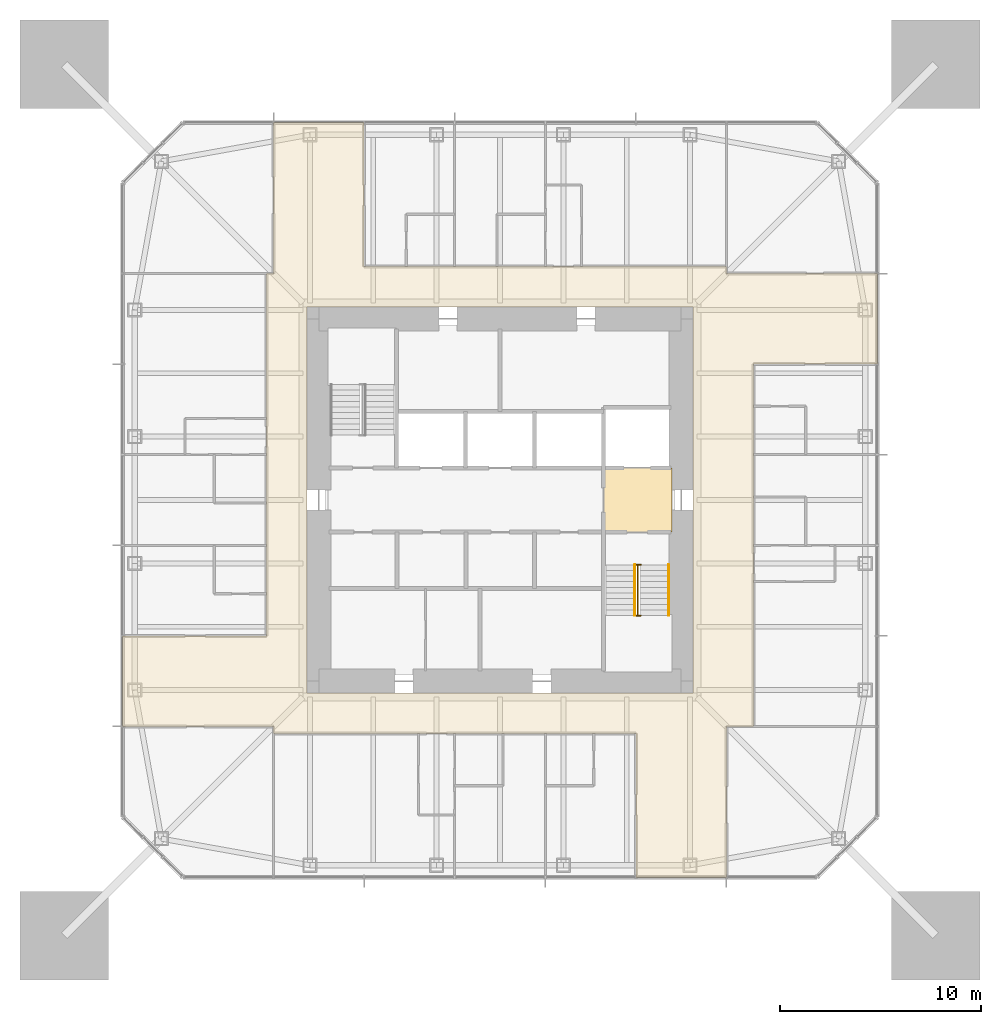
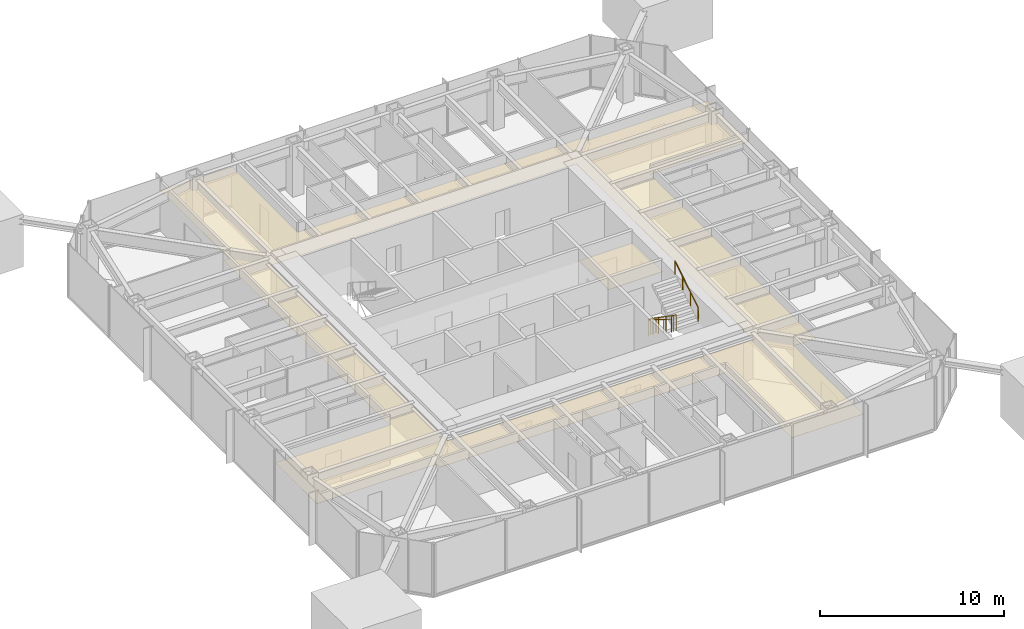
# One storey, part 10 of 11: 3 railings, 2 coverings.
"""IFC4 building model written with IfcOpenShell, lengths in metres."""

from ifc_helpers import new_model, si_unit, direction, frame, origin, origin_2d, place, context, subcontext, project, spatial, polyline, circle, outline, extrude, material, layer, layer_set, constituent, constituent_set, type_object, element, save


model = new_model("IFC4")

# Units and contexts
model_context = context("Model", 3, precision=1e-05, world=origin(), true_north=direction((0.0, 1.0)))
body_context = subcontext(model_context, "Body", "Model", "MODEL_VIEW")
ifc_project = project(units=[si_unit("LENGTHUNIT", "METRE"), si_unit("AREAUNIT", "SQUARE_METRE"), si_unit("VOLUMEUNIT", "CUBIC_METRE"), si_unit("PLANEANGLEUNIT", "RADIAN"), si_unit("MASSUNIT", "GRAM", prefix="KILO")], contexts=[model_context])

# Site, building, storey
site_placement = place(None, origin())
site = spatial("IfcSite", under=ifc_project, at=site_placement, CompositionType="ELEMENT")
building_placement = place(site_placement, origin())
building = spatial("IfcBuilding", under=site, at=building_placement, Name="Iwan Alto Co-Living Towers", CompositionType="ELEMENT")
storey_placement = place(building_placement, frame((0.0, 0.0, 170.5)))
storey = spatial("IfcBuildingStorey", under=building, at=storey_placement, Name="L46", CompositionType="ELEMENT", Elevation=170.5)

# Covering
ifc_material_1 = material(Name="Mineral fibre acoustic tiles on steel grid", Category="steel")
ifc_layer_1 = layer(ifc_material_1, 0.02001953125)
ifc_layer_set_1 = layer_set([ifc_layer_1], Name="ACOUSTIC TILE CEILING 20")
covering_type_1 = type_object("IfcCoveringType", Name="ACOUSTIC TILE CEILING 20", PredefinedType="CEILING", material=ifc_layer_set_1)
covering_1_placement = place(storey_placement, frame((0.0, 0.0, 2.60009765625)))
element("IfcCovering", 1, at=covering_1_placement, inside=storey, type_object=covering_type_1, Name="Ceiling Firefighting lobby L46", PredefinedType="CEILING", context=body_context, shape_type="SweptSolid", body=[
    extrude(outline(polyline([(5.14990234375, -1.60009765625), (5.14990234375, 1.60009765625), (8.550048828125, 1.60009765625), (8.550048828125, -1.60009765625), (5.14990234375, -1.60009765625)])), origin(), (0.0, 0.0, 1.0), 0.02001953125),
])

# Railings
ifc_material_2 = material(Name="Steel ASTM A500 Gr C", Category="steel")
ifc_constituent_1 = constituent(ifc_material_2, Name="Rails and posts", Category="Framing")
ifc_material_3 = material(Name="Steel ASTM A36", Category="steel")
ifc_constituent_2 = constituent(ifc_material_3, Name="Bar infill", Category="Infill")
ifc_constituent_set = constituent_set(constituents=[ifc_constituent_1, ifc_constituent_2], Name="STAIR GUARD 1100")
railing_type_1 = type_object("IfcRailingType", Name="STAIR GUARD 1100", PredefinedType="GUARDRAIL", material=ifc_constituent_set)
railing_1_placement = place(storey_placement, frame((6.85009765625, -3.219970703125, 0.0)))
element("IfcRailing", 2, at=railing_1_placement, inside=storey, type_object=railing_type_1, Name="Stair T1-S2 well guard L46", PredefinedType="GUARDRAIL", context=body_context, shape_type="SweptSolid", body=[
    extrude(circle(Radius=0.02392578125, at=origin_2d()), frame((0.0, 0.0, 1.076171875), z_axis=(0.0, -0.821372036852, 0.570392826987), x_axis=(1.0, 0.0, 0.0)), (0.0, 0.0, 1.0), 3.068115234375),
    extrude(circle(Radius=0.02392578125, at=origin_2d()), frame((-0.150146484375, 0.0, 1.076171875), z_axis=(1.0, 0.0, 0.0), x_axis=(0.0, 1.0, 0.0)), (0.0, 0.0, 1.0), 0.300048828125),
    extrude(circle(Radius=0.02392578125, at=origin_2d()), frame((-0.150146484375, -2.52001953125, 2.826171875), z_axis=(1.0, 0.0, 0.0), x_axis=(0.0, 1.0, 0.0)), (0.0, 0.0, 1.0), 0.300048828125),
    extrude(circle(Radius=0.02099609375, at=origin_2d()), origin(), (0.0, 0.0, 1.0), 1.052001953125),
    extrude(circle(Radius=0.02099609375, at=origin_2d()), frame((0.0, -0.840087890625, 0.583251953125)), (0.0, 0.0, 1.0), 1.052001953125),
    extrude(circle(Radius=0.02099609375, at=origin_2d()), frame((0.0, -1.679931640625, 1.166748046875)), (0.0, 0.0, 1.0), 1.052001953125),
    extrude(circle(Radius=0.02099609375, at=origin_2d()), frame((0.0, -2.52001953125, 1.75)), (0.0, 0.0, 1.0), 1.052001953125),
    extrude(circle(Radius=0.02099609375, at=origin_2d()), frame((-0.150146484375, 0.0, 0.0)), (0.0, 0.0, 1.0), 1.052001953125),
    extrude(circle(Radius=0.02099609375, at=origin_2d()), frame((0.14990234375, 0.0, 0.0)), (0.0, 0.0, 1.0), 1.052001953125),
    extrude(circle(Radius=0.02099609375, at=origin_2d()), frame((-0.150146484375, -2.52001953125, 1.75)), (0.0, 0.0, 1.0), 1.052001953125),
    extrude(circle(Radius=0.02099609375, at=origin_2d()), frame((0.14990234375, -2.52001953125, 1.75)), (0.0, 0.0, 1.0), 1.052001953125),
])
ifc_material_4 = material(Name="Steel ASTM A500 Gr C", Category="steel")
railing_type_2 = type_object("IfcRailingType", Name="STAIR HANDRAIL 900", PredefinedType="HANDRAIL", material=ifc_material_4)
railing_2_placement = place(storey_placement, frame((6.699951171875, -3.219970703125, 0.175048828125)))
element("IfcRailing", 3, at=railing_2_placement, inside=storey, type_object=railing_type_2, Name="Stair T1-S2 handrail 1 L46", PredefinedType="HANDRAIL", context=body_context, shape_type="SweptSolid", body=[
    extrude(circle(Radius=0.02392578125, at=origin_2d()), frame((0.0, 0.0, 0.8759765625), z_axis=(0.0, -0.848007534815, 0.529984170421), x_axis=(1.0, 0.0, 0.0)), (0.0, 0.0, 1.0), 2.9716796875),
    extrude(circle(Radius=0.02099609375, at=origin_2d()), origin(), (0.0, 0.0, 1.0), 0.851806640625),
    extrude(circle(Radius=0.02099609375, at=origin_2d()), frame((0.0, -0.840087890625, 0.52490234375)), (0.0, 0.0, 1.0), 0.851806640625),
    extrude(circle(Radius=0.02099609375, at=origin_2d()), frame((0.0, -1.679931640625, 1.050048828125)), (0.0, 0.0, 1.0), 0.851806640625),
    extrude(circle(Radius=0.02099609375, at=origin_2d()), frame((0.0, -2.52001953125, 1.574951171875)), (0.0, 0.0, 1.0), 0.851806640625),
])
railing_3_placement = place(storey_placement, frame((8.3798828125, -5.739990234375, 1.925048828125)))
element("IfcRailing", 4, at=railing_3_placement, inside=storey, type_object=railing_type_2, Name="Stair T1-S2 handrail 2 L46", PredefinedType="HANDRAIL", context=body_context, shape_type="SweptSolid", body=[
    extrude(circle(Radius=0.02392578125, at=origin_2d()), frame((0.0, 0.0, 0.8759765625), z_axis=(0.0, 0.848007534815, 0.529984170421), x_axis=(-1.0, 0.0, 0.0)), (0.0, 0.0, 1.0), 2.9716796875),
    extrude(circle(Radius=0.02099609375, at=origin_2d()), origin(), (0.0, 0.0, 1.0), 0.851806640625),
    extrude(circle(Radius=0.02099609375, at=origin_2d()), frame((0.0, 0.840087890625, 0.52490234375)), (0.0, 0.0, 1.0), 0.851806640625),
    extrude(circle(Radius=0.02099609375, at=origin_2d()), frame((0.0, 1.679931640625, 1.050048828125)), (0.0, 0.0, 1.0), 0.851806640625),
    extrude(circle(Radius=0.02099609375, at=origin_2d()), frame((0.0, 2.52001953125, 1.574951171875)), (0.0, 0.0, 1.0), 0.851806640625),
])

# Covering
ifc_material_5 = material(Name="Gypsum plasterboard on steel grid", Category="steel")
ifc_layer_2 = layer(ifc_material_5, 0.014892578125)
ifc_layer_set_2 = layer_set([ifc_layer_2], Name="SUSPENDED PLASTERBOARD CEILING 15")
covering_type_2 = type_object("IfcCoveringType", Name="SUSPENDED PLASTERBOARD CEILING 15", PredefinedType="CEILING", material=ifc_layer_set_2)
covering_2_placement = place(storey_placement, frame((0.0, 0.0, 2.60009765625)))
element("IfcCovering", 5, at=covering_2_placement, inside=storey, type_object=covering_type_2, Name="Ceiling Corridor L46", PredefinedType="CEILING", context=body_context, shape_type="SweptSolid", body=[
    extrude(outline(polyline([(-18.75, -11.25), (-18.75, -6.75), (-11.60009765625, -6.75), (-11.60009765625, 11.25), (-11.25, 11.25), (-11.25, 11.60009765625), (-11.25, 18.75), (-6.75, 18.75), (-6.75, 11.60009765625), (11.25, 11.60009765625), (11.25, 11.25), (12.60009765625, 11.25), (18.75, 11.25), (18.75, 6.75), (12.60009765625, 6.75), (12.60009765625, -11.25), (11.25, -11.25), (11.25, -11.60009765625), (11.25, -18.75), (6.75, -18.75), (6.75, -11.60009765625), (-11.25, -11.60009765625), (-11.25, -11.25), (-11.60009765625, -11.25), (-18.75, -11.25)]), holes=[polyline([(9.60009765625, 9.60009765625), (-9.60009765625, 9.60009765625), (-9.60009765625, -9.60009765625), (9.60009765625, -9.60009765625), (9.60009765625, 9.60009765625)])]), origin(), (0.0, 0.0, 1.0), 0.014892578125),
])

save(model, "model.ifc")
